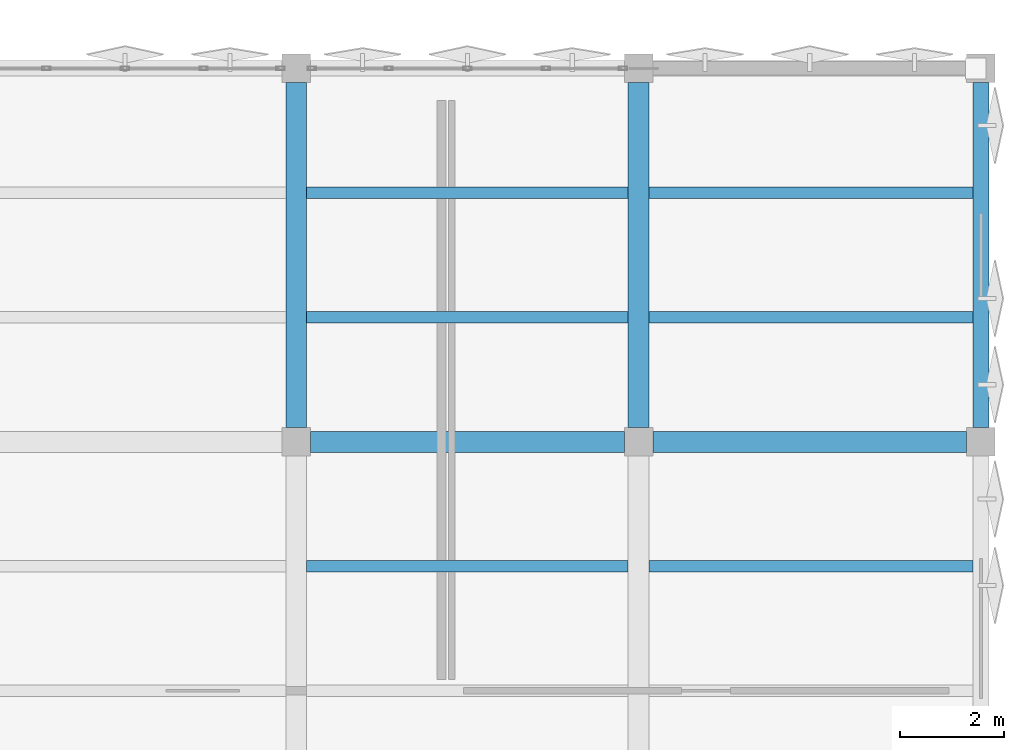
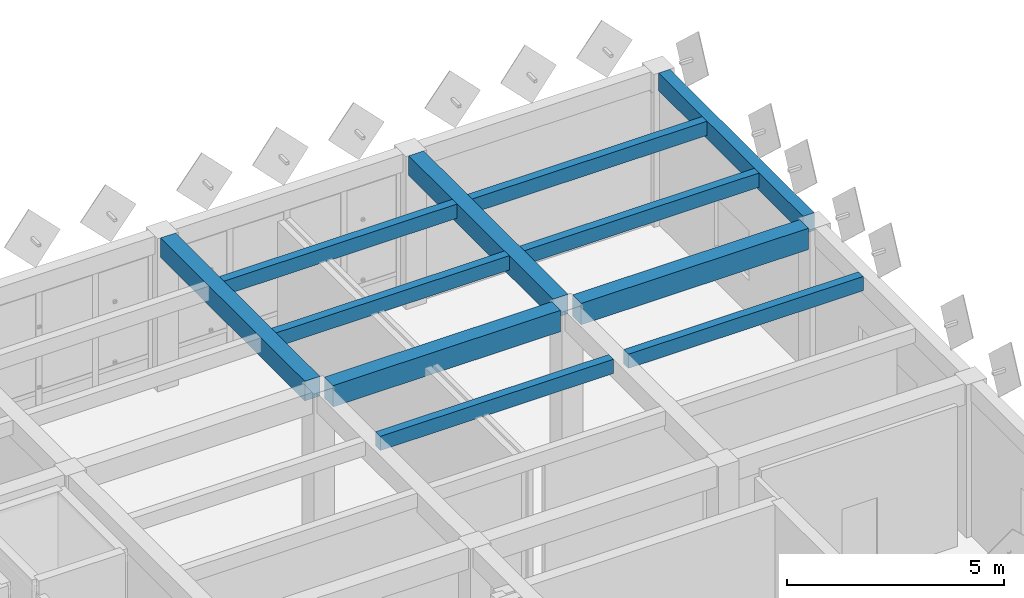
# One storey, part 13 of 29: 11 beams.
"""IFC4 building model written with IfcOpenShell, lengths in metres."""

from ifc_helpers import new_model, si_unit, direction, frame, origin, origin_2d, place, context, subcontext, project, spatial, rectangle, extrude, material, material_profile, profile_set, type_object, element, save


model = new_model("IFC4")

# Units and contexts
model_context = context("Model", 3, precision=1e-05, world=origin(), true_north=direction((0.0, 1.0)))
body_context = subcontext(model_context, "Body", "Model", "MODEL_VIEW")
ifc_project = project(units=[si_unit("LENGTHUNIT", "METRE"), si_unit("AREAUNIT", "SQUARE_METRE"), si_unit("VOLUMEUNIT", "CUBIC_METRE"), si_unit("PLANEANGLEUNIT", "RADIAN"), si_unit("MASSUNIT", "GRAM", prefix="KILO")], contexts=[model_context])

# Site, building, storey
site_placement = place(None, origin())
site = spatial("IfcSite", under=ifc_project, at=site_placement, CompositionType="ELEMENT")
building_placement = place(site_placement, origin())
building = spatial("IfcBuilding", under=site, at=building_placement, Name="Kharisveld Research Institute", CompositionType="ELEMENT")
storey_placement = place(building_placement, frame((0.0, 0.0, 32.10009765625)))
storey = spatial("IfcBuildingStorey", under=building, at=storey_placement, Name="L07", CompositionType="ELEMENT", Elevation=32.10009765625)

# Beams
ifc_material_1 = material(Name="Concrete C40/50", Category="concrete")
ifc_material_profile_1 = material_profile(ifc_material_1, rectangle(XDim=0.39990234375, YDim=0.550048828125, at=origin_2d()))
ifc_profile_set_1 = profile_set([ifc_material_profile_1], Name="Concrete C40/50")
beam_type_1 = type_object("IfcBeamType", Name="BM_RC_400x550", PredefinedType="BEAM", material=ifc_profile_set_1)
for number, where, z_axis, x_axis, name in (
    (1, (147.60009765625, 53.875, 4.02978515625), (0.0, 1.0, 0.0), (-1.0, 0.0, 0.0), "BM:V2:L07:V5_2"),
    (2, (154.199951171875, 53.875, 4.02978515625), (0.0, 1.0, 0.0), (-1.0, 0.0, 0.0), "BM:V2:L07:V6_2"),
):
    element("IfcBeam", number, at=place(storey_placement, frame(where, z_axis=z_axis, x_axis=x_axis)), inside=storey, type_object=beam_type_1, Name=name, PredefinedType="BEAM", context=body_context, shape_type="SweptSolid", body=[
        extrude(rectangle(XDim=0.39990234375, YDim=0.550048828125, at=origin_2d()), origin(), (0.0, 0.0, 1.0), 6.64990234375),
    ])
ifc_material_2 = material(Name="Concrete C40/50", Category="concrete")
ifc_material_profile_2 = material_profile(ifc_material_2, rectangle(XDim=0.39990234375, YDim=0.60009765625, at=origin_2d()))
ifc_profile_set_2 = profile_set([ifc_material_profile_2], Name="Concrete C40/50")
beam_type_2 = type_object("IfcBeamType", Name="BM_RC_400x600", PredefinedType="BEAM", material=ifc_profile_set_2)
beam_1_placement = place(storey_placement, frame((147.875, 53.60009765625, 4.0048828125), z_axis=(1.0, 0.0, 0.0), x_axis=(0.0, 1.0, 0.0)))
element("IfcBeam", 3, at=beam_1_placement, inside=storey, type_object=beam_type_2, Name="BM:V2:L07:U5_2", PredefinedType="BEAM", context=body_context, shape_type="SweptSolid", body=[
    extrude(rectangle(XDim=0.39990234375, YDim=0.60009765625, at=origin_2d()), origin(), (0.0, 0.0, 1.0), 6.050048828125),
])
beam_2_placement = place(storey_placement, frame((154.47509765625, 53.60009765625, 4.0048828125), z_axis=(1.0, 0.0, 0.0), x_axis=(0.0, 1.0, 0.0)))
element("IfcBeam", 4, at=beam_2_placement, inside=storey, type_object=beam_type_2, Name="BM:V2:L07:U6_2", PredefinedType="BEAM", context=body_context, shape_type="SweptSolid", body=[
    extrude(rectangle(XDim=0.39990234375, YDim=0.60009765625, at=origin_2d()), origin(), (0.0, 0.0, 1.0), 6.0498046875),
])
ifc_material_3 = material(Name="Concrete C40/50", Category="concrete")
ifc_material_profile_3 = material_profile(ifc_material_3, rectangle(XDim=0.300048828125, YDim=0.5, at=origin_2d()))
ifc_profile_set_3 = profile_set([ifc_material_profile_3], Name="Concrete C40/50")
beam_type_3 = type_object("IfcBeamType", Name="SP_RC_300x500", PredefinedType="SPANDREL", material=ifc_profile_set_3)
beam_3_placement = place(storey_placement, frame((160.800048828125, 53.875, 4.054931640625), z_axis=(0.0, 1.0, 0.0), x_axis=(-1.0, 0.0, 0.0)))
element("IfcBeam", 5, at=beam_3_placement, inside=storey, type_object=beam_type_3, Name="BM:V2:L07:V7_2", PredefinedType="SPANDREL", context=body_context, shape_type="SweptSolid", body=[
    extrude(rectangle(XDim=0.300048828125, YDim=0.5, at=origin_2d()), origin(), (0.0, 0.0, 1.0), 6.64990234375),
])
ifc_material_4 = material(Name="Concrete C40/50", Category="concrete")
ifc_material_profile_4 = material_profile(ifc_material_4, rectangle(XDim=0.219970703125, YDim=0.39990234375, at=origin_2d()))
ifc_profile_set_4 = profile_set([ifc_material_profile_4], Name="Concrete C40/50")
beam_type_4 = type_object("IfcBeamType", Name="WB_RC_220x400", PredefinedType="JOIST", material=ifc_profile_set_4)
for number, where, z_axis, x_axis, name in (
    (6, (147.800048828125, 51.199951171875, 4.10498046875), (1.0, 0.0, 0.0), (0.0, 1.0, 0.0), "BM:V2:L07:J_5_1_R2"),
    (7, (147.800048828125, 56.0, 4.10498046875), (1.0, 0.0, 0.0), (0.0, 1.0, 0.0), "BM:V2:L07:J_5_2_R1"),
    (8, (147.800048828125, 58.39990234375, 4.10498046875), (1.0, 0.0, 0.0), (0.0, 1.0, 0.0), "BM:V2:L07:J_5_2_R2"),
):
    element("IfcBeam", number, at=place(storey_placement, frame(where, z_axis=z_axis, x_axis=x_axis)), inside=storey, type_object=beam_type_4, Name=name, PredefinedType="JOIST", context=body_context, shape_type="SweptSolid", body=[
        extrude(rectangle(XDim=0.219970703125, YDim=0.39990234375, at=origin_2d()), origin(), (0.0, 0.0, 1.0), 6.199951171875),
    ])
for number, where, z_axis, x_axis, name in (
    (9, (154.39990234375, 51.199951171875, 4.10498046875), (1.0, 0.0, 0.0), (0.0, 1.0, 0.0), "BM:V2:L07:J_6_1_R2"),
    (10, (154.39990234375, 56.0, 4.10498046875), (1.0, 0.0, 0.0), (0.0, 1.0, 0.0), "BM:V2:L07:J_6_2_R1"),
    (11, (154.39990234375, 58.39990234375, 4.10498046875), (1.0, 0.0, 0.0), (0.0, 1.0, 0.0), "BM:V2:L07:J_6_2_R2"),
):
    element("IfcBeam", number, at=place(storey_placement, frame(where, z_axis=z_axis, x_axis=x_axis)), inside=storey, type_object=beam_type_4, Name=name, PredefinedType="JOIST", context=body_context, shape_type="SweptSolid", body=[
        extrude(rectangle(XDim=0.219970703125, YDim=0.39990234375, at=origin_2d()), origin(), (0.0, 0.0, 1.0), 6.25),
    ])

save(model, "model.ifc")
